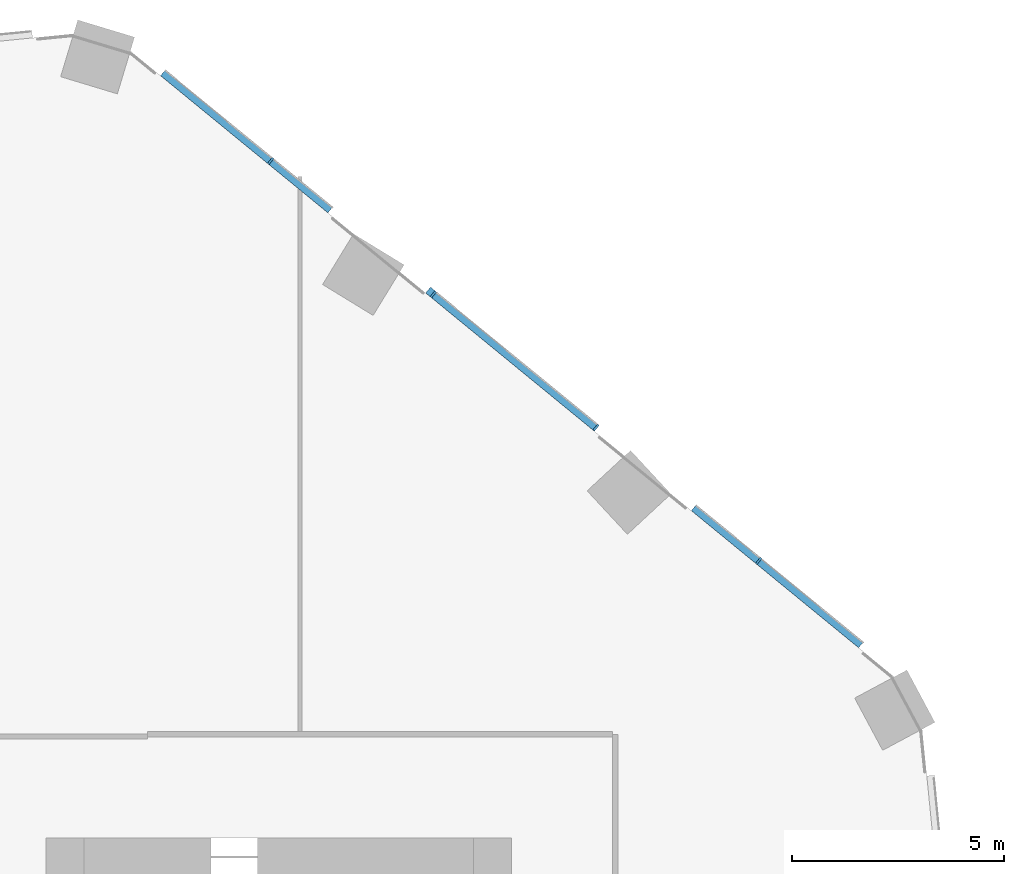
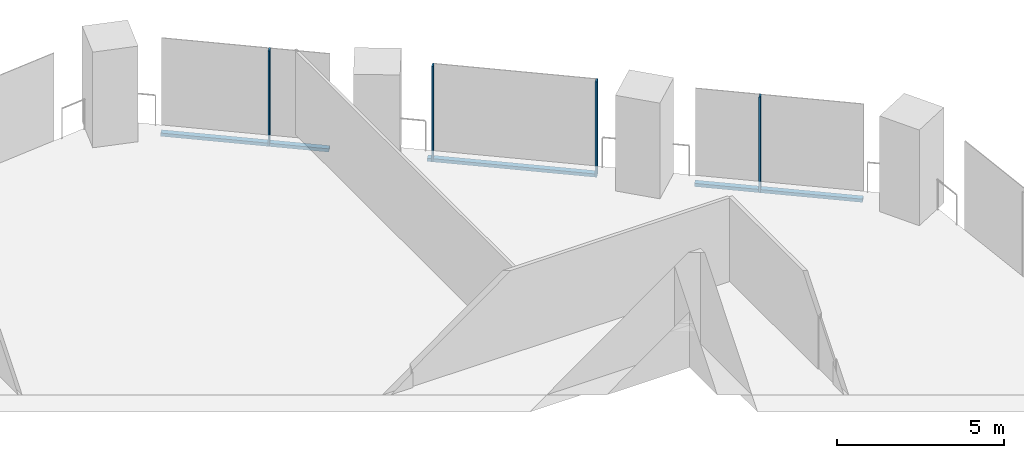
# One storey, part 13 of 34: 7 members, 1 element without a shape of its own.
"""IFC4 building model written with IfcOpenShell, lengths in metres."""

from ifc_helpers import new_model, si_unit, direction, frame, origin, origin_2d, place, context, subcontext, project, spatial, rectangle, extrude, material, material_profile, profile_set, type_object, element, aggregate, save


model = new_model("IFC4")

# Units and contexts
model_context = context("Model", 3, precision=1e-05, world=origin(), true_north=direction((0.0, 1.0)))
body_context = subcontext(model_context, "Body", "Model", "MODEL_VIEW")
ifc_project = project(units=[si_unit("LENGTHUNIT", "METRE"), si_unit("AREAUNIT", "SQUARE_METRE"), si_unit("VOLUMEUNIT", "CUBIC_METRE"), si_unit("PLANEANGLEUNIT", "RADIAN"), si_unit("MASSUNIT", "GRAM", prefix="KILO")], contexts=[model_context])

# Site, building, storey
site_placement = place(None, origin())
site = spatial("IfcSite", under=ifc_project, at=site_placement, CompositionType="ELEMENT")
building_placement = place(site_placement, origin())
building = spatial("IfcBuilding", under=site, at=building_placement, Name="Orlundy Tower", CompositionType="ELEMENT")
storey_placement = place(building_placement, frame((0.0, 0.0, 37.300048828125)))
storey = spatial("IfcBuildingStorey", under=building, at=storey_placement, Name="L07", CompositionType="ELEMENT", Elevation=37.300048828125)

# Curtain wall, members
ifc_material_1 = material(Name="Aluminium bronze anodised", Category="aluminium")
curtain_wall_type = type_object("IfcCurtainWallType", Name="CW1 wall", PredefinedType="NOTDEFINED", material=ifc_material_1)
curtain_wall_placement = place(storey_placement, origin())
curtain_wall = element("IfcCurtainWall", 1, at=curtain_wall_placement, inside=storey, type_object=curtain_wall_type, Name="CW1 run 04", PredefinedType="NOTDEFINED")
ifc_material_2 = material(Name="Aluminium bronze anodised", Category="aluminium")
ifc_material_profile_1 = material_profile(ifc_material_2, rectangle(XDim=0.179931640625, YDim=0.050048828125, at=origin_2d()), Name="CW1 mullion 50x180")
ifc_profile_set_1 = profile_set([ifc_material_profile_1], Name="Aluminium bronze anodised")
member_type_1 = type_object("IfcMemberType", Name="CW1 mullion 50x180", PredefinedType="MULLION", material=ifc_profile_set_1)
member_1_placement = place(storey_placement, frame((13.3046875, 27.999267578125, -0.420166015625), z_axis=(0.0, 0.0, 1.0), x_axis=(0.633818264458, 0.773482002143, 0.0)))
member_1 = element("IfcMember", 2, at=member_1_placement, type_object=member_type_1, Name="CW1 mullion 20", PredefinedType="MULLION", context=body_context, shape_type="SweptSolid", body=[
    extrude(rectangle(XDim=0.179931640625, YDim=0.050048828125, at=origin_2d()), origin(), (0.0, 0.0, 1.0), 3.5),
])
member_2_placement = place(storey_placement, frame((17.149169921875, 24.848876953125, -0.420166015625), z_axis=(0.0, 0.0, 1.0), x_axis=(0.633818264458, 0.773482002143, 0.0)))
member_2 = element("IfcMember", 3, at=member_2_placement, type_object=member_type_1, Name="CW1 mullion 21", PredefinedType="MULLION", context=body_context, shape_type="SweptSolid", body=[
    extrude(rectangle(XDim=0.179931640625, YDim=0.050048828125, at=origin_2d()), origin(), (0.0, 0.0, 1.0), 3.5),
])
member_3_placement = place(storey_placement, frame((20.993896484375, 21.698486328125, -0.420166015625), z_axis=(0.0, 0.0, 1.0), x_axis=(0.633818264458, 0.773482002143, 0.0)))
member_3 = element("IfcMember", 4, at=member_3_placement, type_object=member_type_1, Name="CW1 mullion 22", PredefinedType="MULLION", context=body_context, shape_type="SweptSolid", body=[
    extrude(rectangle(XDim=0.179931640625, YDim=0.050048828125, at=origin_2d()), origin(), (0.0, 0.0, 1.0), 3.5),
])
member_4_placement = place(storey_placement, frame((24.83837890625, 18.548095703125, -0.420166015625), z_axis=(0.0, 0.0, 1.0), x_axis=(0.633818264458, 0.773482002143, 0.0)))
member_4 = element("IfcMember", 5, at=member_4_placement, type_object=member_type_1, Name="CW1 mullion 23", PredefinedType="MULLION", context=body_context, shape_type="SweptSolid", body=[
    extrude(rectangle(XDim=0.179931640625, YDim=0.050048828125, at=origin_2d()), origin(), (0.0, 0.0, 1.0), 3.5),
])
ifc_material_3 = material(Name="Aluminium bronze anodised", Category="aluminium")
ifc_material_profile_2 = material_profile(ifc_material_3, rectangle(XDim=0.179931640625, YDim=0.1201171875, at=origin_2d()), Name="CW1 transom 180x120")
ifc_profile_set_2 = profile_set([ifc_material_profile_2], Name="Aluminium bronze anodised")
member_type_2 = type_object("IfcMemberType", Name="CW1 transom 180x120", PredefinedType="USERDEFINED", material=ifc_profile_set_2)
member_5_placement = place(storey_placement, frame((10.7607421875, 30.083740234375, -0.360107421875), z_axis=(0.773499578621, -0.633796814344, 0.0), x_axis=(0.633796814344, 0.773499578621, 0.0)))
member_5 = element("IfcMember", 6, at=member_5_placement, type_object=member_type_2, Name="CW1 transom", ObjectType="TRANSOM", PredefinedType="USERDEFINED", context=body_context, shape_type="SweptSolid", body=[
    extrude(rectangle(XDim=0.179931640625, YDim=0.1201171875, at=origin_2d()), origin(), (0.0, 0.0, 1.0), 5.111572265625),
])
member_6_placement = place(storey_placement, frame((17.02587890625, 24.949951171875, -0.360107421875), z_axis=(0.773475848629, -0.633825773843, 0.0), x_axis=(0.633825773843, 0.773475848629, 0.0)))
member_6 = element("IfcMember", 7, at=member_6_placement, type_object=member_type_2, Name="CW1 transom", ObjectType="TRANSOM", PredefinedType="USERDEFINED", context=body_context, shape_type="SweptSolid", body=[
    extrude(rectangle(XDim=0.179931640625, YDim=0.1201171875, at=origin_2d()), origin(), (0.0, 0.0, 1.0), 5.131103515625),
])
member_7_placement = place(storey_placement, frame((23.304931640625, 19.8046875, -0.360107421875), z_axis=(0.773471607059, -0.633830949918, 0.0), x_axis=(0.633830949918, 0.773471607059, 0.0)))
member_7 = element("IfcMember", 8, at=member_7_placement, type_object=member_type_2, Name="CW1 transom", ObjectType="TRANSOM", PredefinedType="USERDEFINED", context=body_context, shape_type="SweptSolid", body=[
    extrude(rectangle(XDim=0.179931640625, YDim=0.1201171875, at=origin_2d()), origin(), (0.0, 0.0, 1.0), 5.108642578125),
])
aggregate(curtain_wall, [member_1, member_2, member_3, member_4, member_5, member_6, member_7])

save(model, "model.ifc")
